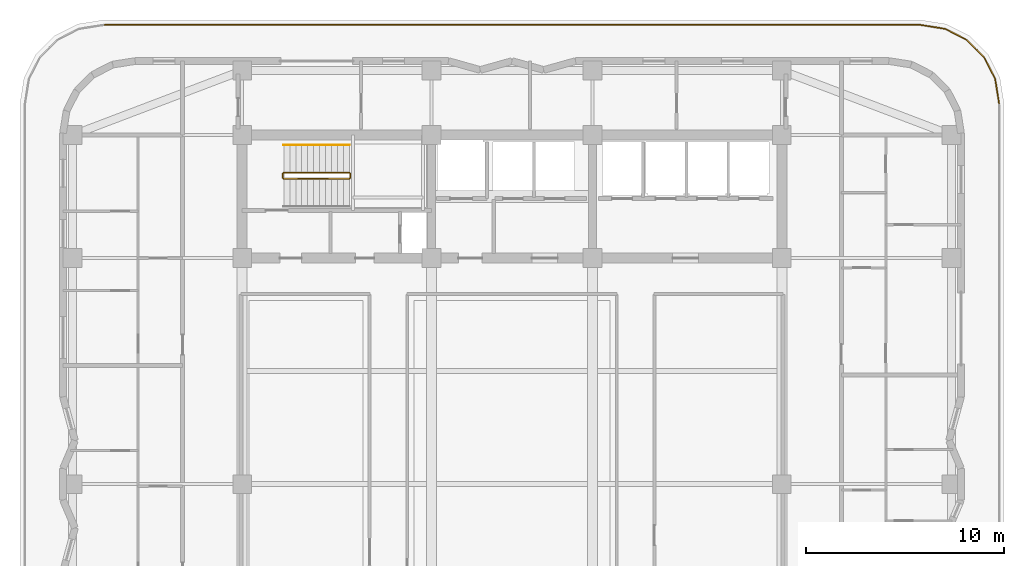
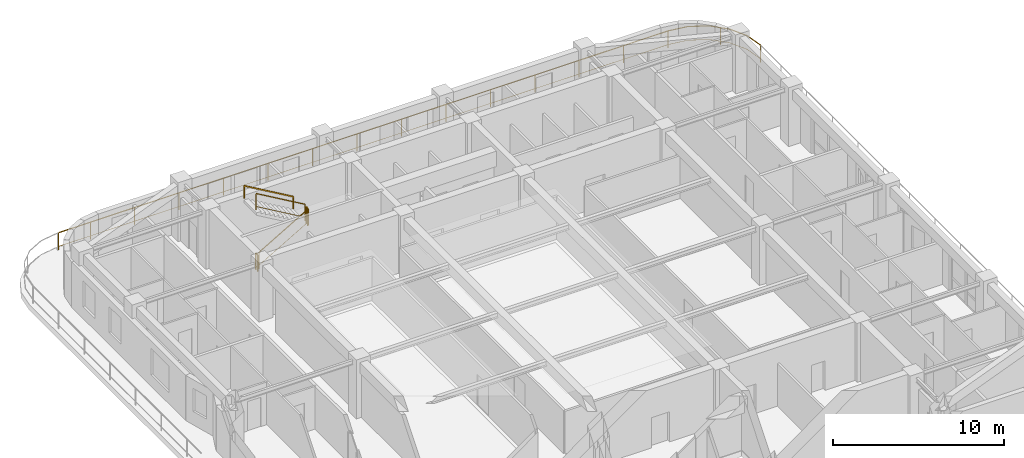
# One storey, part 14 of 14: 6 railings.
"""IFC4 building model written with IfcOpenShell, lengths in metres."""

from ifc_helpers import new_model, si_unit, direction, frame, origin, origin_2d, place, context, subcontext, project, spatial, rectangle, extrude, material, type_object, element, save


model = new_model("IFC4")

# Units and contexts
model_context = context("Model", 3, precision=1e-05, world=origin(), true_north=direction((0.0, 1.0)))
body_context = subcontext(model_context, "Body", "Model", "MODEL_VIEW")
ifc_project = project(units=[si_unit("LENGTHUNIT", "METRE"), si_unit("AREAUNIT", "SQUARE_METRE"), si_unit("VOLUMEUNIT", "CUBIC_METRE"), si_unit("PLANEANGLEUNIT", "RADIAN"), si_unit("MASSUNIT", "GRAM", prefix="KILO")], contexts=[model_context])

# Site, building, storey
site_placement = place(None, origin())
site = spatial("IfcSite", under=ifc_project, at=site_placement, CompositionType="ELEMENT")
building_placement = place(site_placement, origin())
building = spatial("IfcBuilding", under=site, at=building_placement, Name="Svetorya Sky Lyceum", CompositionType="ELEMENT")
storey_placement = place(building_placement, frame((0.0, 0.0, 143.60009765625)))
storey = spatial("IfcBuildingStorey", under=building, at=storey_placement, Name="L35", CompositionType="ELEMENT", Elevation=143.60009765625)

# Railings
ifc_material_1 = material(Name="Painted galvanized stair well guard")
railing_type_1 = type_object("IfcRailingType", Name="RL-STR-GUARD-1200", PredefinedType="GUARDRAIL", material=ifc_material_1)
railing_1_placement = place(storey_placement, frame((27.699951171875, 43.60009765625, 0.1748046875)))
element("IfcRailing", 1, at=railing_1_placement, inside=storey, type_object=railing_type_1, Name="L35 ST-N stair guard 1", PredefinedType="GUARDRAIL", context=body_context, shape_type="SweptSolid", body=[
    extrude(rectangle(XDim=0.048095703125, YDim=0.048095703125, at=origin_2d()), frame((0.0, 0.0, 1.17578125), z_axis=(0.863776583165, 0.0, 0.503874998761), x_axis=(0.0, 1.0, 0.0)), (0.0, 0.0, 1.0), 3.820556640625),
    extrude(rectangle(XDim=0.02392578125, YDim=0.02392578125, at=origin_2d()), frame((0.0, 0.0, 0.25), z_axis=(0.863776583165, 0.0, 0.503874998761), x_axis=(0.0, 1.0, 0.0)), (0.0, 0.0, 1.0), 3.820556640625),
    extrude(rectangle(XDim=0.0419921875, YDim=0.0419921875, at=origin_2d()), origin(), (0.0, 0.0, 1.0), 1.15185546875),
    extrude(rectangle(XDim=0.0419921875, YDim=0.0419921875, at=origin_2d()), frame((3.300048828125, 0.0, 1.925048828125)), (0.0, 0.0, 1.0), 1.15185546875),
])
railing_2_placement = place(storey_placement, frame((31.050048828125, 43.64990234375, 2.099853515625)))
element("IfcRailing", 2, at=railing_2_placement, inside=storey, type_object=railing_type_1, Name="L35 ST-N stair guard 2", PredefinedType="GUARDRAIL", context=body_context, shape_type="SweptSolid", body=[
    extrude(rectangle(XDim=0.048095703125, YDim=0.048095703125, at=origin_2d()), frame((0.0, 0.0, 1.17578125), z_axis=(0.0, 1.0, 0.0), x_axis=(-1.0, 0.0, 0.0)), (0.0, 0.0, 1.0), 0.2001953125),
    extrude(rectangle(XDim=0.02392578125, YDim=0.02392578125, at=origin_2d()), frame((0.0, 0.0, 0.25), z_axis=(0.0, 1.0, 0.0), x_axis=(-1.0, 0.0, 0.0)), (0.0, 0.0, 1.0), 0.2001953125),
    extrude(rectangle(XDim=0.0419921875, YDim=0.0419921875, at=origin_2d()), origin(), (0.0, 0.0, 1.0), 1.15185546875),
    extrude(rectangle(XDim=0.0419921875, YDim=0.0419921875, at=origin_2d()), frame((0.0, 0.2001953125, 0.0)), (0.0, 0.0, 1.0), 1.15185546875),
])
railing_3_placement = place(storey_placement, frame((31.0, 43.89990234375, 2.27490234375)))
element("IfcRailing", 3, at=railing_3_placement, inside=storey, type_object=railing_type_1, Name="L35 ST-N stair guard 3", PredefinedType="GUARDRAIL", context=body_context, shape_type="SweptSolid", body=[
    extrude(rectangle(XDim=0.048095703125, YDim=0.048095703125, at=origin_2d()), frame((0.0, 0.0, 1.17578125), z_axis=(-0.863776583165, 0.0, 0.503874998761), x_axis=(0.0, -1.0, 0.0)), (0.0, 0.0, 1.0), 3.820556640625),
    extrude(rectangle(XDim=0.02392578125, YDim=0.02392578125, at=origin_2d()), frame((0.0, 0.0, 0.25), z_axis=(-0.863776583165, 0.0, 0.503874998761), x_axis=(0.0, -1.0, 0.0)), (0.0, 0.0, 1.0), 3.820556640625),
    extrude(rectangle(XDim=0.0419921875, YDim=0.0419921875, at=origin_2d()), origin(), (0.0, 0.0, 1.0), 1.15185546875),
    extrude(rectangle(XDim=0.0419921875, YDim=0.0419921875, at=origin_2d()), frame((-3.300048828125, 0.0, 1.925048828125)), (0.0, 0.0, 1.0), 1.15185546875),
])
railing_4_placement = place(storey_placement, frame((27.64990234375, 43.64990234375, 0.0)))
element("IfcRailing", 4, at=railing_4_placement, inside=storey, type_object=railing_type_1, Name="L35 ST-N stair guard 4", PredefinedType="GUARDRAIL", context=body_context, shape_type="SweptSolid", body=[
    extrude(rectangle(XDim=0.048095703125, YDim=0.048095703125, at=origin_2d()), frame((0.0, 0.0, 1.17578125), z_axis=(0.0, 1.0, 0.0), x_axis=(-1.0, 0.0, 0.0)), (0.0, 0.0, 1.0), 0.2001953125),
    extrude(rectangle(XDim=0.02392578125, YDim=0.02392578125, at=origin_2d()), frame((0.0, 0.0, 0.25), z_axis=(0.0, 1.0, 0.0), x_axis=(-1.0, 0.0, 0.0)), (0.0, 0.0, 1.0), 0.2001953125),
    extrude(rectangle(XDim=0.0419921875, YDim=0.0419921875, at=origin_2d()), origin(), (0.0, 0.0, 1.0), 1.15185546875),
    extrude(rectangle(XDim=0.0419921875, YDim=0.0419921875, at=origin_2d()), frame((0.0, 0.2001953125, 0.0)), (0.0, 0.0, 1.0), 1.15185546875),
])
ifc_material_2 = material(Name="Brushed stainless AISI 304 stair handrail")
railing_type_2 = type_object("IfcRailingType", Name="RL-STR-HAND-920", PredefinedType="HANDRAIL", material=ifc_material_2)
railing_5_placement = place(storey_placement, frame((31.0, 45.300048828125, 2.27490234375)))
element("IfcRailing", 5, at=railing_5_placement, inside=storey, type_object=railing_type_2, Name="L35 ST-N stair handrail 2", PredefinedType="HANDRAIL", context=body_context, shape_type="SweptSolid", body=[
    extrude(rectangle(XDim=0.048095703125, YDim=0.048095703125, at=origin_2d()), frame((0.0, 0.0, 0.8759765625), z_axis=(-0.863776583165, 0.0, 0.503874998761), x_axis=(0.0, -1.0, 0.0)), (0.0, 0.0, 1.0), 3.820556640625),
    extrude(rectangle(XDim=0.0419921875, YDim=0.0419921875, at=origin_2d()), origin(), (0.0, 0.0, 1.0), 0.851806640625),
    extrude(rectangle(XDim=0.0419921875, YDim=0.0419921875, at=origin_2d()), frame((-3.300048828125, 0.0, 1.925048828125)), (0.0, 0.0, 1.0), 0.851806640625),
])
ifc_material_3 = material(Name="Bronze-anodized aluminium terrace guard", Category="aluminium")
railing_type_3 = type_object("IfcRailingType", Name="RL-TER-1250", PredefinedType="GUARDRAIL", material=ifc_material_3)
railing_6_placement = place(storey_placement, frame((63.75, 47.39990234375, 0.0)))
element("IfcRailing", 6, at=railing_6_placement, inside=storey, type_object=railing_type_3, Name="L35 Setback Terrace Guard Quadrant 3", PredefinedType="GUARDRAIL", context=body_context, shape_type="SweptSolid", body=[
    extrude(rectangle(XDim=0.048095703125, YDim=0.048095703125, at=origin_2d()), frame((0.0, 0.0, 1.22607421875), z_axis=(-0.156449457012, 0.987685965983, 0.0), x_axis=(-0.987685965983, -0.156449457012, 0.0)), (0.0, 0.0, 1.0), 1.23583984375),
    extrude(rectangle(XDim=0.02392578125, YDim=0.02392578125, at=origin_2d()), frame((0.0, 0.0, 0.25), z_axis=(-0.156449457012, 0.987685965983, 0.0), x_axis=(-0.987685965983, -0.156449457012, 0.0)), (0.0, 0.0, 1.0), 1.23583984375),
    extrude(rectangle(XDim=0.048095703125, YDim=0.048095703125, at=origin_2d()), frame((-0.193359375, 1.220703125, 1.22607421875), z_axis=(-0.453996808381, 0.891003309747, 0.0), x_axis=(-0.891003309747, -0.453996808381, 0.0)), (0.0, 0.0, 1.0), 1.23583984375),
    extrude(rectangle(XDim=0.02392578125, YDim=0.02392578125, at=origin_2d()), frame((-0.193359375, 1.220703125, 0.25), z_axis=(-0.453996808381, 0.891003309747, 0.0), x_axis=(-0.891003309747, -0.453996808381, 0.0)), (0.0, 0.0, 1.0), 1.23583984375),
    extrude(rectangle(XDim=0.048095703125, YDim=0.048095703125, at=origin_2d()), frame((-0.75439453125, 2.32177734375, 1.22607421875), z_axis=(-0.707008002564, 0.707205546012, 0.0), x_axis=(-0.707205546012, -0.707008002564, 0.0)), (0.0, 0.0, 1.0), 1.23583984375),
    extrude(rectangle(XDim=0.02392578125, YDim=0.02392578125, at=origin_2d()), frame((-0.75439453125, 2.32177734375, 0.25), z_axis=(-0.707008002564, 0.707205546012, 0.0), x_axis=(-0.707205546012, -0.707008002564, 0.0)), (0.0, 0.0, 1.0), 1.23583984375),
    extrude(rectangle(XDim=0.048095703125, YDim=0.048095703125, at=origin_2d()), frame((-1.628173828125, 3.19580078125, 1.22607421875), z_axis=(-0.891044019054, 0.453916904408, 0.0), x_axis=(-0.453916904408, -0.891044019054, 0.0)), (0.0, 0.0, 1.0), 1.236083984375),
    extrude(rectangle(XDim=0.02392578125, YDim=0.02392578125, at=origin_2d()), frame((-1.628173828125, 3.19580078125, 0.25), z_axis=(-0.891044019054, 0.453916904408, 0.0), x_axis=(-0.453916904408, -0.891044019054, 0.0)), (0.0, 0.0, 1.0), 1.236083984375),
    extrude(rectangle(XDim=0.048095703125, YDim=0.048095703125, at=origin_2d()), frame((-2.7294921875, 3.7568359375, 1.22607421875), z_axis=(-0.987681129562, 0.15647998692, 0.0), x_axis=(-0.15647998692, -0.987681129562, 0.0)), (0.0, 0.0, 1.0), 1.235595703125),
    extrude(rectangle(XDim=0.02392578125, YDim=0.02392578125, at=origin_2d()), frame((-2.7294921875, 3.7568359375, 0.25), z_axis=(-0.987681129562, 0.15647998692, 0.0), x_axis=(-0.15647998692, -0.987681129562, 0.0)), (0.0, 0.0, 1.0), 1.235595703125),
    extrude(rectangle(XDim=0.048095703125, YDim=0.048095703125, at=origin_2d()), frame((-3.949951171875, 3.9501953125, 1.22607421875), z_axis=(-1.0, 0.0, 0.0), x_axis=(0.0, -1.0, 0.0)), (0.0, 0.0, 1.0), 41.14013671875),
    extrude(rectangle(XDim=0.02392578125, YDim=0.02392578125, at=origin_2d()), frame((-3.949951171875, 3.9501953125, 0.25), z_axis=(-1.0, 0.0, 0.0), x_axis=(0.0, -1.0, 0.0)), (0.0, 0.0, 1.0), 41.14013671875),
    extrude(rectangle(XDim=0.0419921875, YDim=0.0419921875, at=origin_2d()), origin(), (0.0, 0.0, 1.0), 1.201904296875),
    extrude(rectangle(XDim=0.0419921875, YDim=0.0419921875, at=origin_2d()), frame((-1.1279296875, 2.6953125, 0.0)), (0.0, 0.0, 1.0), 1.201904296875),
    extrude(rectangle(XDim=0.0419921875, YDim=0.0419921875, at=origin_2d()), frame((-3.949951171875, 3.9501953125, 0.0)), (0.0, 0.0, 1.0), 1.201904296875),
    extrude(rectangle(XDim=0.0419921875, YDim=0.0419921875, at=origin_2d()), frame((-6.949951171875, 3.9501953125, 0.0)), (0.0, 0.0, 1.0), 1.201904296875),
    extrude(rectangle(XDim=0.0419921875, YDim=0.0419921875, at=origin_2d()), frame((-9.949951171875, 3.9501953125, 0.0)), (0.0, 0.0, 1.0), 1.201904296875),
    extrude(rectangle(XDim=0.0419921875, YDim=0.0419921875, at=origin_2d()), frame((-12.949951171875, 3.9501953125, 0.0)), (0.0, 0.0, 1.0), 1.201904296875),
    extrude(rectangle(XDim=0.0419921875, YDim=0.0419921875, at=origin_2d()), frame((-15.949951171875, 3.9501953125, 0.0)), (0.0, 0.0, 1.0), 1.201904296875),
    extrude(rectangle(XDim=0.0419921875, YDim=0.0419921875, at=origin_2d()), frame((-18.949951171875, 3.9501953125, 0.0)), (0.0, 0.0, 1.0), 1.201904296875),
    extrude(rectangle(XDim=0.0419921875, YDim=0.0419921875, at=origin_2d()), frame((-21.949951171875, 3.9501953125, 0.0)), (0.0, 0.0, 1.0), 1.201904296875),
    extrude(rectangle(XDim=0.0419921875, YDim=0.0419921875, at=origin_2d()), frame((-24.949951171875, 3.9501953125, 0.0)), (0.0, 0.0, 1.0), 1.201904296875),
    extrude(rectangle(XDim=0.0419921875, YDim=0.0419921875, at=origin_2d()), frame((-27.949951171875, 3.9501953125, 0.0)), (0.0, 0.0, 1.0), 1.201904296875),
    extrude(rectangle(XDim=0.0419921875, YDim=0.0419921875, at=origin_2d()), frame((-30.949951171875, 3.9501953125, 0.0)), (0.0, 0.0, 1.0), 1.201904296875),
    extrude(rectangle(XDim=0.0419921875, YDim=0.0419921875, at=origin_2d()), frame((-33.949951171875, 3.9501953125, 0.0)), (0.0, 0.0, 1.0), 1.201904296875),
    extrude(rectangle(XDim=0.0419921875, YDim=0.0419921875, at=origin_2d()), frame((-36.949951171875, 3.9501953125, 0.0)), (0.0, 0.0, 1.0), 1.201904296875),
    extrude(rectangle(XDim=0.0419921875, YDim=0.0419921875, at=origin_2d()), frame((-39.949951171875, 3.9501953125, 0.0)), (0.0, 0.0, 1.0), 1.201904296875),
    extrude(rectangle(XDim=0.0419921875, YDim=0.0419921875, at=origin_2d()), frame((-42.949951171875, 3.9501953125, 0.0)), (0.0, 0.0, 1.0), 1.201904296875),
    extrude(rectangle(XDim=0.0419921875, YDim=0.0419921875, at=origin_2d()), frame((-45.090087890625, 3.9501953125, 0.0)), (0.0, 0.0, 1.0), 1.201904296875),
])

save(model, "model.ifc")
